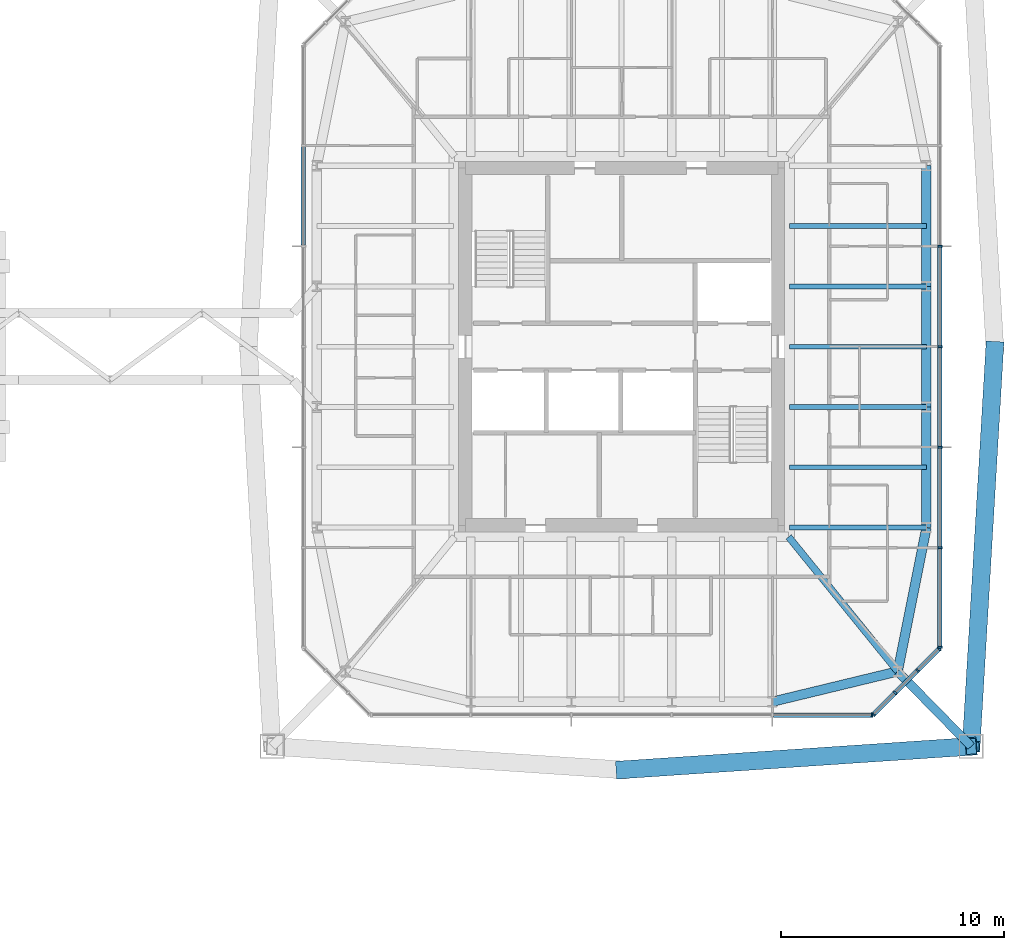
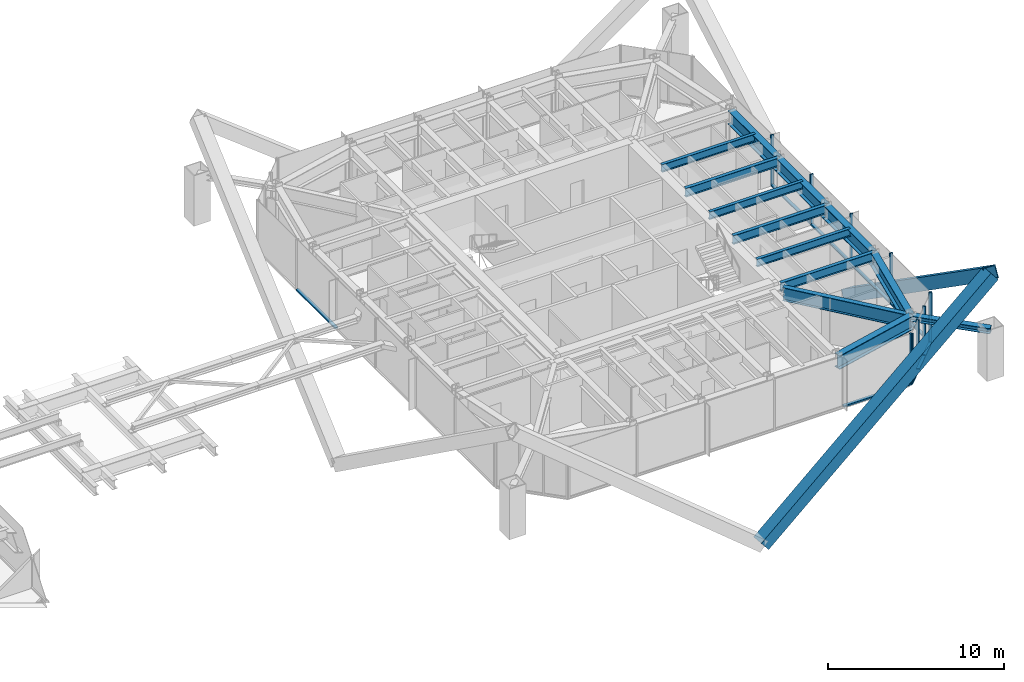
# One storey, part 10 of 27: 22 members, 12 beams, 4 elements without a shape of their own.
"""IFC4 building model written with IfcOpenShell, lengths in metres."""

from ifc_helpers import new_model, si_unit, direction, frame, origin, origin_2d, place, context, subcontext, project, spatial, rectangle, hollow_rectangle, i_section, extrude, material, material_profile, profile_set, type_object, element, aggregate, save


model = new_model("IFC4")

# Units and contexts
model_context = context("Model", 3, precision=1e-05, world=origin(), true_north=direction((0.0, 1.0)))
body_context = subcontext(model_context, "Body", "Model", "MODEL_VIEW")
ifc_project = project(units=[si_unit("LENGTHUNIT", "METRE"), si_unit("AREAUNIT", "SQUARE_METRE"), si_unit("VOLUMEUNIT", "CUBIC_METRE"), si_unit("PLANEANGLEUNIT", "RADIAN"), si_unit("MASSUNIT", "GRAM", prefix="KILO")], contexts=[model_context])

# Site, building, storey
site_placement = place(None, origin())
site = spatial("IfcSite", under=ifc_project, at=site_placement, CompositionType="ELEMENT")
building_placement = place(site_placement, origin())
building = spatial("IfcBuilding", under=site, at=building_placement, Name="Iwan Alto Co-Living Towers", CompositionType="ELEMENT")
storey_placement = place(building_placement, frame((0.0, 0.0, 94.5)))
storey = spatial("IfcBuildingStorey", under=building, at=storey_placement, Name="L25", CompositionType="ELEMENT", Elevation=94.5)

# Curtain wall, member
ifc_material_1 = material(Name="Bronze aluminium unitised frame", Category="aluminium")
curtain_wall_type_1 = type_object("IfcCurtainWallType", Name="CURTAIN WALL CW-C", PredefinedType="NOTDEFINED", material=ifc_material_1)
curtain_wall_1_placement = place(storey_placement, origin())
curtain_wall_1 = element("IfcCurtainWall", 1, at=curtain_wall_1_placement, inside=storey, type_object=curtain_wall_type_1, Name="T2 curtain wall S L25", PredefinedType="NOTDEFINED")
ifc_material_2 = material(Name="Aluminium 6063-T6 bronze anodised", Category="aluminium")
ifc_material_profile_1 = material_profile(ifc_material_2, rectangle(XDim=0.199951171875, YDim=0.080078125, at=origin_2d()), Name="AL 80X200")
ifc_profile_set_1 = profile_set([ifc_material_profile_1], Name="Aluminium 6063-T6 bronze anodised")
member_type_1 = type_object("IfcMemberType", Name="CW-C MULLION 80X200", PredefinedType="MULLION", material=ifc_profile_set_1)
member_1_placement = place(storey_placement, frame((74.2099609375, -16.5, 0.0), z_axis=(0.0, 0.0, 1.0), x_axis=(0.0, 1.0, 0.0)))
member_1 = element("IfcMember", 2, at=member_1_placement, type_object=member_type_1, Name="CW-C mullion 6", PredefinedType="MULLION", context=body_context, shape_type="SweptSolid", body=[
    extrude(rectangle(XDim=0.199951171875, YDim=0.080078125, at=origin_2d()), origin(), (0.0, 0.0, 1.0), 3.5),
])

# Curtain wall, members
curtain_wall_2_placement = place(storey_placement, origin())
curtain_wall_2 = element("IfcCurtainWall", 3, at=curtain_wall_2_placement, inside=storey, type_object=curtain_wall_type_1, Name="T2 curtain wall E L25", PredefinedType="NOTDEFINED")
member_2_placement = place(storey_placement, frame((77.25, -13.4599609375, 0.0), z_axis=(0.0, 0.0, 1.0), x_axis=(-1.0, 0.0, 0.0)))
member_2 = element("IfcMember", 4, at=member_2_placement, type_object=member_type_1, Name="CW-C mullion 1", PredefinedType="MULLION", context=body_context, shape_type="SweptSolid", body=[
    extrude(rectangle(XDim=0.199951171875, YDim=0.080078125, at=origin_2d()), origin(), (0.0, 0.0, 1.0), 3.5),
])
member_3_placement = place(storey_placement, frame((77.25, -9.0, 0.0), z_axis=(0.0, 0.0, 1.0), x_axis=(-1.0, 0.0, 0.0)))
member_3 = element("IfcMember", 5, at=member_3_placement, type_object=member_type_1, Name="CW-C mullion 2", PredefinedType="MULLION", context=body_context, shape_type="SweptSolid", body=[
    extrude(rectangle(XDim=0.199951171875, YDim=0.080078125, at=origin_2d()), origin(), (0.0, 0.0, 1.0), 3.5),
])
member_4_placement = place(storey_placement, frame((77.25, -4.5, 0.0), z_axis=(0.0, 0.0, 1.0), x_axis=(-1.0, 0.0, 0.0)))
member_4 = element("IfcMember", 6, at=member_4_placement, type_object=member_type_1, Name="CW-C mullion 3", PredefinedType="MULLION", context=body_context, shape_type="SweptSolid", body=[
    extrude(rectangle(XDim=0.199951171875, YDim=0.080078125, at=origin_2d()), origin(), (0.0, 0.0, 1.0), 3.5),
])
member_5_placement = place(storey_placement, frame((77.25, 0.0, 0.0), z_axis=(0.0, 0.0, 1.0), x_axis=(-1.0, 0.0, 0.0)))
member_5 = element("IfcMember", 7, at=member_5_placement, type_object=member_type_1, Name="CW-C mullion 4", PredefinedType="MULLION", context=body_context, shape_type="SweptSolid", body=[
    extrude(rectangle(XDim=0.199951171875, YDim=0.080078125, at=origin_2d()), origin(), (0.0, 0.0, 1.0), 3.5),
])
member_6_placement = place(storey_placement, frame((77.25, 4.5, 0.0), z_axis=(0.0, 0.0, 1.0), x_axis=(-1.0, 0.0, 0.0)))
member_6 = element("IfcMember", 8, at=member_6_placement, type_object=member_type_1, Name="CW-C mullion 5", PredefinedType="MULLION", context=body_context, shape_type="SweptSolid", body=[
    extrude(rectangle(XDim=0.199951171875, YDim=0.080078125, at=origin_2d()), origin(), (0.0, 0.0, 1.0), 3.5),
])

# Member
ifc_material_3 = material(Name="Aluminium 6063-T6 bronze anodised", Category="aluminium")
ifc_material_profile_2 = material_profile(ifc_material_3, rectangle(XDim=0.199951171875, YDim=0.10009765625, at=origin_2d()), Name="AL 200X100")
ifc_profile_set_2 = profile_set([ifc_material_profile_2], Name="Aluminium 6063-T6 bronze anodised")
member_type_2 = type_object("IfcMemberType", Name="CW-C TRANSOM 200X100", PredefinedType="USERDEFINED", material=ifc_profile_set_2)
member_7_placement = place(storey_placement, frame((69.7900390625, -16.5, 0.050048828125), z_axis=(1.0, 0.0, 0.0), x_axis=(0.0, 1.0, 0.0)))
member_7 = element("IfcMember", 9, at=member_7_placement, type_object=member_type_2, Name="CW-C transom 5.1", ObjectType="TRANSOM", PredefinedType="USERDEFINED", context=body_context, shape_type="SweptSolid", body=[
    extrude(rectangle(XDim=0.199951171875, YDim=0.10009765625, at=origin_2d()), origin(), (0.0, 0.0, 1.0), 4.3798828125),
])

aggregate(curtain_wall_1, [member_1, member_7])

member_8_placement = place(storey_placement, frame((77.25, -13.419921875, 0.050048828125), z_axis=(0.0, 1.0, 0.0), x_axis=(-1.0, 0.0, 0.0)))
member_8 = element("IfcMember", 10, at=member_8_placement, type_object=member_type_2, Name="CW-C transom 1.1", ObjectType="TRANSOM", PredefinedType="USERDEFINED", context=body_context, shape_type="SweptSolid", body=[
    extrude(rectangle(XDim=0.199951171875, YDim=0.10009765625, at=origin_2d()), origin(), (0.0, 0.0, 1.0), 4.3798828125),
])

member_9_placement = place(storey_placement, frame((77.25, -8.9599609375, 0.050048828125), z_axis=(0.0, 1.0, 0.0), x_axis=(-1.0, 0.0, 0.0)))
member_9 = element("IfcMember", 11, at=member_9_placement, type_object=member_type_2, Name="CW-C transom 2.1", ObjectType="TRANSOM", PredefinedType="USERDEFINED", context=body_context, shape_type="SweptSolid", body=[
    extrude(rectangle(XDim=0.199951171875, YDim=0.10009765625, at=origin_2d()), origin(), (0.0, 0.0, 1.0), 4.419921875),
])

member_10_placement = place(storey_placement, frame((77.25, -4.4599609375, 0.050048828125), z_axis=(0.0, 1.0, 0.0), x_axis=(-1.0, 0.0, 0.0)))
member_10 = element("IfcMember", 12, at=member_10_placement, type_object=member_type_2, Name="CW-C transom 3.1", ObjectType="TRANSOM", PredefinedType="USERDEFINED", context=body_context, shape_type="SweptSolid", body=[
    extrude(rectangle(XDim=0.199951171875, YDim=0.10009765625, at=origin_2d()), origin(), (0.0, 0.0, 1.0), 4.419921875),
])

member_11_placement = place(storey_placement, frame((77.25, 0.0400390625, 0.050048828125), z_axis=(0.0, 1.0, 0.0), x_axis=(-1.0, 0.0, 0.0)))
member_11 = element("IfcMember", 13, at=member_11_placement, type_object=member_type_2, Name="CW-C transom 4.1", ObjectType="TRANSOM", PredefinedType="USERDEFINED", context=body_context, shape_type="SweptSolid", body=[
    extrude(rectangle(XDim=0.199951171875, YDim=0.10009765625, at=origin_2d()), origin(), (0.0, 0.0, 1.0), 4.419921875),
])

aggregate(curtain_wall_2, [member_2, member_3, member_4, member_5, member_6, member_8, member_9, member_10, member_11])

# Curtain wall, member
curtain_wall_3_placement = place(storey_placement, origin())
curtain_wall_3 = element("IfcCurtainWall", 14, at=curtain_wall_3_placement, inside=storey, type_object=curtain_wall_type_1, Name="T2 curtain wall W L25", PredefinedType="NOTDEFINED")
member_12_placement = place(storey_placement, frame((48.75, 8.9599609375, 0.050048828125), z_axis=(0.0, -1.0, 0.0), x_axis=(1.0, 0.0, 0.0)))
member_12 = element("IfcMember", 15, at=member_12_placement, type_object=member_type_2, Name="CW-C transom 2.1", ObjectType="TRANSOM", PredefinedType="USERDEFINED", context=body_context, shape_type="SweptSolid", body=[
    extrude(rectangle(XDim=0.199951171875, YDim=0.10009765625, at=origin_2d()), origin(), (0.0, 0.0, 1.0), 4.419921875),
])
aggregate(curtain_wall_3, [member_12])

# Curtain wall, members
ifc_material_4 = material(Name="Bronze aluminium unitised frame", Category="aluminium")
curtain_wall_type_2 = type_object("IfcCurtainWallType", Name="CURTAIN WALL CW-D", PredefinedType="NOTDEFINED", material=ifc_material_4)
curtain_wall_4_placement = place(storey_placement, origin())
curtain_wall_4 = element("IfcCurtainWall", 16, at=curtain_wall_4_placement, inside=storey, type_object=curtain_wall_type_2, Name="T2 chamfer curtain wall SE L25", PredefinedType="NOTDEFINED")
ifc_material_5 = material(Name="Aluminium 6063-T6 bronze anodised", Category="aluminium")
ifc_material_profile_3 = material_profile(ifc_material_5, rectangle(XDim=0.199951171875, YDim=0.080078125, at=origin_2d()), Name="AL 80X200")
ifc_profile_set_3 = profile_set([ifc_material_profile_3], Name="Aluminium 6063-T6 bronze anodised")
member_type_3 = type_object("IfcMemberType", Name="CW-D MULLION 80X200", PredefinedType="MULLION", material=ifc_profile_set_3)
member_13_placement = place(storey_placement, frame((74.2783203125, -16.4716796875, 0.0), z_axis=(0.0, 0.0, 1.0), x_axis=(-0.707106781187, 0.707106781187, 0.0)))
member_13 = element("IfcMember", 17, at=member_13_placement, type_object=member_type_3, Name="CW-D mullion 1", PredefinedType="MULLION", context=body_context, shape_type="SweptSolid", body=[
    extrude(rectangle(XDim=0.199951171875, YDim=0.080078125, at=origin_2d()), origin(), (0.0, 0.0, 1.0), 3.5),
])
member_14_placement = place(storey_placement, frame((75.25, -15.5, 0.0), z_axis=(0.0, 0.0, 1.0), x_axis=(-0.707106781187, 0.707106781187, 0.0)))
member_14 = element("IfcMember", 18, at=member_14_placement, type_object=member_type_3, Name="CW-D mullion 2", PredefinedType="MULLION", context=body_context, shape_type="SweptSolid", body=[
    extrude(rectangle(XDim=0.199951171875, YDim=0.080078125, at=origin_2d()), origin(), (0.0, 0.0, 1.0), 3.5),
])
member_15_placement = place(storey_placement, frame((76.25, -14.5, 0.0), z_axis=(0.0, 0.0, 1.0), x_axis=(-0.707106781187, 0.707106781187, 0.0)))
member_15 = element("IfcMember", 19, at=member_15_placement, type_object=member_type_3, Name="CW-D mullion 3", PredefinedType="MULLION", context=body_context, shape_type="SweptSolid", body=[
    extrude(rectangle(XDim=0.199951171875, YDim=0.080078125, at=origin_2d()), origin(), (0.0, 0.0, 1.0), 3.5),
])
member_16_placement = place(storey_placement, frame((77.2216796875, -13.5283203125, 0.0), z_axis=(0.0, 0.0, 1.0), x_axis=(-0.707106781187, 0.707106781187, 0.0)))
member_16 = element("IfcMember", 20, at=member_16_placement, type_object=member_type_3, Name="CW-D mullion 4", PredefinedType="MULLION", context=body_context, shape_type="SweptSolid", body=[
    extrude(rectangle(XDim=0.199951171875, YDim=0.080078125, at=origin_2d()), origin(), (0.0, 0.0, 1.0), 3.5),
])
ifc_material_6 = material(Name="Aluminium 6063-T6 bronze anodised", Category="aluminium")
ifc_material_profile_4 = material_profile(ifc_material_6, rectangle(XDim=0.199951171875, YDim=0.10009765625, at=origin_2d()), Name="AL 200X100")
ifc_profile_set_4 = profile_set([ifc_material_profile_4], Name="Aluminium 6063-T6 bronze anodised")
member_type_4 = type_object("IfcMemberType", Name="CW-D TRANSOM 200X100", PredefinedType="USERDEFINED", material=ifc_profile_set_4)
member_17_placement = place(storey_placement, frame((74.306640625, -16.443359375, 0.050048828125), z_axis=(0.707106781187, 0.707106781187, 0.0), x_axis=(-0.707106781187, 0.707106781187, 0.0)))
member_17 = element("IfcMember", 21, at=member_17_placement, type_object=member_type_4, Name="CW-D transom 1.1", ObjectType="TRANSOM", PredefinedType="USERDEFINED", context=body_context, shape_type="SweptSolid", body=[
    extrude(rectangle(XDim=0.199951171875, YDim=0.10009765625, at=origin_2d()), origin(), (0.0, 0.0, 1.0), 1.2939453125),
])
member_18_placement = place(storey_placement, frame((75.2783203125, -15.4716796875, 0.050048828125), z_axis=(0.707106781187, 0.707106781187, 0.0), x_axis=(-0.707106781187, 0.707106781187, 0.0)))
member_18 = element("IfcMember", 22, at=member_18_placement, type_object=member_type_4, Name="CW-D transom 2.1", ObjectType="TRANSOM", PredefinedType="USERDEFINED", context=body_context, shape_type="SweptSolid", body=[
    extrude(rectangle(XDim=0.199951171875, YDim=0.10009765625, at=origin_2d()), origin(), (0.0, 0.0, 1.0), 1.334228515625),
])
member_19_placement = place(storey_placement, frame((76.2783203125, -14.4716796875, 0.050048828125), z_axis=(0.707106781187, 0.707106781187, 0.0), x_axis=(-0.707106781187, 0.707106781187, 0.0)))
member_19 = element("IfcMember", 23, at=member_19_placement, type_object=member_type_4, Name="CW-D transom 3.1", ObjectType="TRANSOM", PredefinedType="USERDEFINED", context=body_context, shape_type="SweptSolid", body=[
    extrude(rectangle(XDim=0.199951171875, YDim=0.10009765625, at=origin_2d()), origin(), (0.0, 0.0, 1.0), 1.2939453125),
])
aggregate(curtain_wall_4, [member_13, member_14, member_15, member_16, member_17, member_18, member_19])

# Beams
ifc_material_7 = material(Name="Steel ASTM A992 Gr 50", Category="steel")
ifc_material_profile_5 = material_profile(ifc_material_7, i_section(OverallWidth=0.307373046875, OverallDepth=0.927001953125, WebThickness=0.01953125, FlangeThickness=0.031982421875, at=origin_2d()), Name="W36X194")
ifc_profile_set_5 = profile_set([ifc_material_profile_5], Name="Steel ASTM A992 Gr 50")
beam_type_1 = type_object("IfcBeamType", Name="T2 CORNER GIRDER W36X194", PredefinedType="BEAM", material=ifc_profile_set_5)
beam_1_placement = place(storey_placement, frame((75.361328125, -14.542724609375, 2.806396484375), z_axis=(-0.629787584927, 0.776767402683, 0.0), x_axis=(-0.776767402683, -0.629787584927, 0.0)))
element("IfcBeam", 24, at=beam_1_placement, inside=storey, type_object=beam_type_1, Name="T2 corner girder CSE L26", PredefinedType="BEAM", context=body_context, shape_type="SweptSolid", body=[
    extrude(i_section(OverallWidth=0.307373046875, OverallDepth=0.927001953125, WebThickness=0.01953125, FlangeThickness=0.031982421875, at=origin_2d()), origin(), (0.0, 0.0, 1.0), 7.75537109375),
])
ifc_material_8 = material(Name="Steel ASTM A992 Gr 50", Category="steel")
ifc_material_profile_6 = material_profile(ifc_material_8, i_section(OverallWidth=0.424072265625, OverallDepth=0.947509765625, WebThickness=0.02392578125, FlangeThickness=0.042724609375, at=origin_2d()), Name="W36X302")
ifc_profile_set_6 = profile_set([ifc_material_profile_6], Name="Steel ASTM A992 Gr 50")
beam_type_2 = type_object("IfcBeamType", Name="T2 EDGE BEAM W36X302", PredefinedType="BEAM", material=ifc_profile_set_6)
beam_2_placement = place(storey_placement, frame((69.75, -15.89990234375, 2.79638671875), z_axis=(0.971974673138, 0.235085590323, 0.0), x_axis=(-0.235085590323, 0.971974673138, 0.0)))
element("IfcBeam", 25, at=beam_2_placement, inside=storey, type_object=beam_type_2, Name="T2 edge beam S4 L26", PredefinedType="BEAM", context=body_context, shape_type="SweptSolid", body=[
    extrude(i_section(OverallWidth=0.424072265625, OverallDepth=0.947509765625, WebThickness=0.02392578125, FlangeThickness=0.042724609375, at=origin_2d()), origin(), (0.0, 0.0, 1.0), 5.773193359375),
])
beam_3_placement = place(storey_placement, frame((75.361328125, -14.542724609375, 2.79638671875), z_axis=(0.196123281025, 0.980579246487, 0.0), x_axis=(-0.980579246487, 0.196123281025, 0.0)))
element("IfcBeam", 26, at=beam_3_placement, inside=storey, type_object=beam_type_2, Name="T2 edge beam CSE L26", PredefinedType="BEAM", context=body_context, shape_type="SweptSolid", body=[
    extrude(i_section(OverallWidth=0.424072265625, OverallDepth=0.947509765625, WebThickness=0.02392578125, FlangeThickness=0.042724609375, at=origin_2d()), origin(), (0.0, 0.0, 1.0), 6.5703125),
])
beam_4_placement = place(storey_placement, frame((76.64990234375, -8.10009765625, 2.79638671875), z_axis=(0.0, 1.0, 0.0), x_axis=(-1.0, 0.0, 0.0)))
element("IfcBeam", 27, at=beam_4_placement, inside=storey, type_object=beam_type_2, Name="T2 edge beam E1 L26", PredefinedType="BEAM", context=body_context, shape_type="SweptSolid", body=[
    extrude(i_section(OverallWidth=0.424072265625, OverallDepth=0.947509765625, WebThickness=0.02392578125, FlangeThickness=0.042724609375, at=origin_2d()), origin(), (0.0, 0.0, 1.0), 5.400146484375),
])
beam_5_placement = place(storey_placement, frame((76.64990234375, -2.699951171875, 2.79638671875), z_axis=(0.0, 1.0, 0.0), x_axis=(-1.0, 0.0, 0.0)))
element("IfcBeam", 28, at=beam_5_placement, inside=storey, type_object=beam_type_2, Name="T2 edge beam E2 L26", PredefinedType="BEAM", context=body_context, shape_type="SweptSolid", body=[
    extrude(i_section(OverallWidth=0.424072265625, OverallDepth=0.947509765625, WebThickness=0.02392578125, FlangeThickness=0.042724609375, at=origin_2d()), origin(), (0.0, 0.0, 1.0), 5.39990234375),
])
beam_6_placement = place(storey_placement, frame((76.64990234375, 2.699951171875, 2.79638671875), z_axis=(0.0, 1.0, 0.0), x_axis=(-1.0, 0.0, 0.0)))
element("IfcBeam", 29, at=beam_6_placement, inside=storey, type_object=beam_type_2, Name="T2 edge beam E3 L26", PredefinedType="BEAM", context=body_context, shape_type="SweptSolid", body=[
    extrude(i_section(OverallWidth=0.424072265625, OverallDepth=0.947509765625, WebThickness=0.02392578125, FlangeThickness=0.042724609375, at=origin_2d()), origin(), (0.0, 0.0, 1.0), 5.400146484375),
])

# Members
ifc_material_9 = material(Name="Steel ASTM A572 Gr 50", Category="steel")
ifc_material_profile_7 = material_profile(ifc_material_9, hollow_rectangle(XDim=0.800048828125, YDim=0.800048828125, WallThickness=0.050048828125, at=origin_2d()), Name="BOX 800X800X50")
ifc_profile_set_7 = profile_set([ifc_material_profile_7], Name="Steel ASTM A572 Gr 50")
member_type_5 = type_object("IfcMemberType", Name="T2 MEGA BRACE BOX 800X800X50", PredefinedType="BRACE", material=ifc_profile_set_7)
member_20_placement = place(storey_placement, frame((63.0, -18.949462890625, -5.5947265625), z_axis=(0.777987909943, 0.052175751534, 0.62610901841), x_axis=(-0.066914677494, 0.997758701258, 0.0)))
element("IfcMember", 30, at=member_20_placement, inside=storey, type_object=member_type_5, Name="T2 mega brace Z2A S 1 upper", PredefinedType="BRACE", context=body_context, shape_type="SweptSolid", body=[
    extrude(hollow_rectangle(XDim=0.800048828125, YDim=0.800048828125, WallThickness=0.050048828125, at=origin_2d()), origin(), (0.0, 0.0, 1.0), 20.115966796875),
])
member_21_placement = place(storey_placement, frame((79.70849609375, 0.0, -5.70166015625), z_axis=(-0.048174700952, -0.814592417988, 0.578029749014), x_axis=(0.998255825444, -0.059036488436, 0.0)))
element("IfcMember", 31, at=member_21_placement, inside=storey, type_object=member_type_5, Name="T2 mega brace Z2A E 2 upper", PredefinedType="BRACE", context=body_context, shape_type="SweptSolid", body=[
    extrude(hollow_rectangle(XDim=0.800048828125, YDim=0.800048828125, WallThickness=0.050048828125, at=origin_2d()), origin(), (0.0, 0.0, 1.0), 21.97412109375),
])
ifc_material_10 = material(Name="Steel ASTM A992 Gr 50", Category="steel")
ifc_material_profile_8 = material_profile(ifc_material_10, i_section(OverallWidth=0.393798828125, OverallDepth=0.3759765625, WebThickness=0.017333984375, FlangeThickness=0.027587890625, at=origin_2d()), Name="W14X145")
ifc_profile_set_8 = profile_set([ifc_material_profile_8], Name="Steel ASTM A992 Gr 50")
member_type_6 = type_object("IfcMemberType", Name="T2 MEGA COLUMN FLOOR TIE W14X145", PredefinedType="STRUT", material=ifc_profile_set_8)
member_22_placement = place(storey_placement, frame((78.64990234375, -17.89990234375, 3.08203125), z_axis=(-0.699770096147, 0.714368121166, 0.0), x_axis=(-0.714368121166, -0.699770096147, 0.0)))
element("IfcMember", 32, at=member_22_placement, inside=storey, type_object=member_type_6, Name="T2 mega column floor tie SE L26", PredefinedType="STRUT", context=body_context, shape_type="SweptSolid", body=[
    extrude(i_section(OverallWidth=0.393798828125, OverallDepth=0.3759765625, WebThickness=0.017333984375, FlangeThickness=0.027587890625, at=origin_2d()), origin(), (0.0, 0.0, 1.0), 4.699462890625),
])

# Beams
ifc_material_11 = material(Name="Steel ASTM A992 Gr 50", Category="steel")
ifc_material_profile_9 = material_profile(ifc_material_11, i_section(OverallWidth=0.228271484375, OverallDepth=0.607177734375, WebThickness=0.01123046875, FlangeThickness=0.017333984375, at=origin_2d()), Name="W24X76")
ifc_profile_set_9 = profile_set([ifc_material_profile_9], Name="Steel ASTM A992 Gr 50")
beam_type_3 = type_object("IfcBeamType", Name="T2 RADIAL BEAM W24X76", PredefinedType="BEAM", material=ifc_profile_set_9)
for number, where, z_axis, x_axis, name in (
    (33, (76.64990234375, -8.10009765625, 2.966552734375), (-1.0, 0.0, 0.0), (0.0, -1.0, 0.0), "T2 radial beam E1 L26"),
    (34, (76.64990234375, -2.699951171875, 2.966552734375), (-1.0, 0.0, 0.0), (0.0, -1.0, 0.0), "T2 radial beam E2 L26"),
    (35, (76.64990234375, 2.699951171875, 2.966552734375), (-1.0, 0.0, 0.0), (0.0, -1.0, 0.0), "T2 radial beam E3 L26"),
):
    element("IfcBeam", number, at=place(storey_placement, frame(where, z_axis=z_axis, x_axis=x_axis)), inside=storey, type_object=beam_type_3, Name=name, PredefinedType="BEAM", context=body_context, shape_type="SweptSolid", body=[
        extrude(i_section(OverallWidth=0.228271484375, OverallDepth=0.607177734375, WebThickness=0.01123046875, FlangeThickness=0.017333984375, at=origin_2d()), origin(), (0.0, 0.0, 1.0), 6.13134765625),
    ])
ifc_material_12 = material(Name="Steel ASTM A992 Gr 50", Category="steel")
ifc_material_profile_10 = material_profile(ifc_material_12, i_section(OverallWidth=0.209228515625, OverallDepth=0.533447265625, WebThickness=0.01025390625, FlangeThickness=0.015625, at=origin_2d()), Name="W21X62")
ifc_profile_set_10 = profile_set([ifc_material_profile_10], Name="Steel ASTM A992 Gr 50")
beam_type_4 = type_object("IfcBeamType", Name="T2 SECONDARY BEAM W21X62", PredefinedType="JOIST", material=ifc_profile_set_10)
for number, where, z_axis, x_axis, name in (
    (36, (76.64990234375, -5.39990234375, 3.00341796875), (-1.0, 0.0, 0.0), (0.0, -1.0, 0.0), "T2 secondary beam E1 L26"),
    (37, (76.64990234375, 0.0, 3.00341796875), (-1.0, 0.0, 0.0), (0.0, -1.0, 0.0), "T2 secondary beam E2 L26"),
    (38, (76.64990234375, 5.39990234375, 3.00341796875), (-1.0, 0.0, 0.0), (0.0, -1.0, 0.0), "T2 secondary beam E3 L26"),
):
    element("IfcBeam", number, at=place(storey_placement, frame(where, z_axis=z_axis, x_axis=x_axis)), inside=storey, type_object=beam_type_4, Name=name, PredefinedType="JOIST", context=body_context, shape_type="SweptSolid", body=[
        extrude(i_section(OverallWidth=0.209228515625, OverallDepth=0.533447265625, WebThickness=0.01025390625, FlangeThickness=0.015625, at=origin_2d()), origin(), (0.0, 0.0, 1.0), 6.13134765625),
    ])

save(model, "model.ifc")
